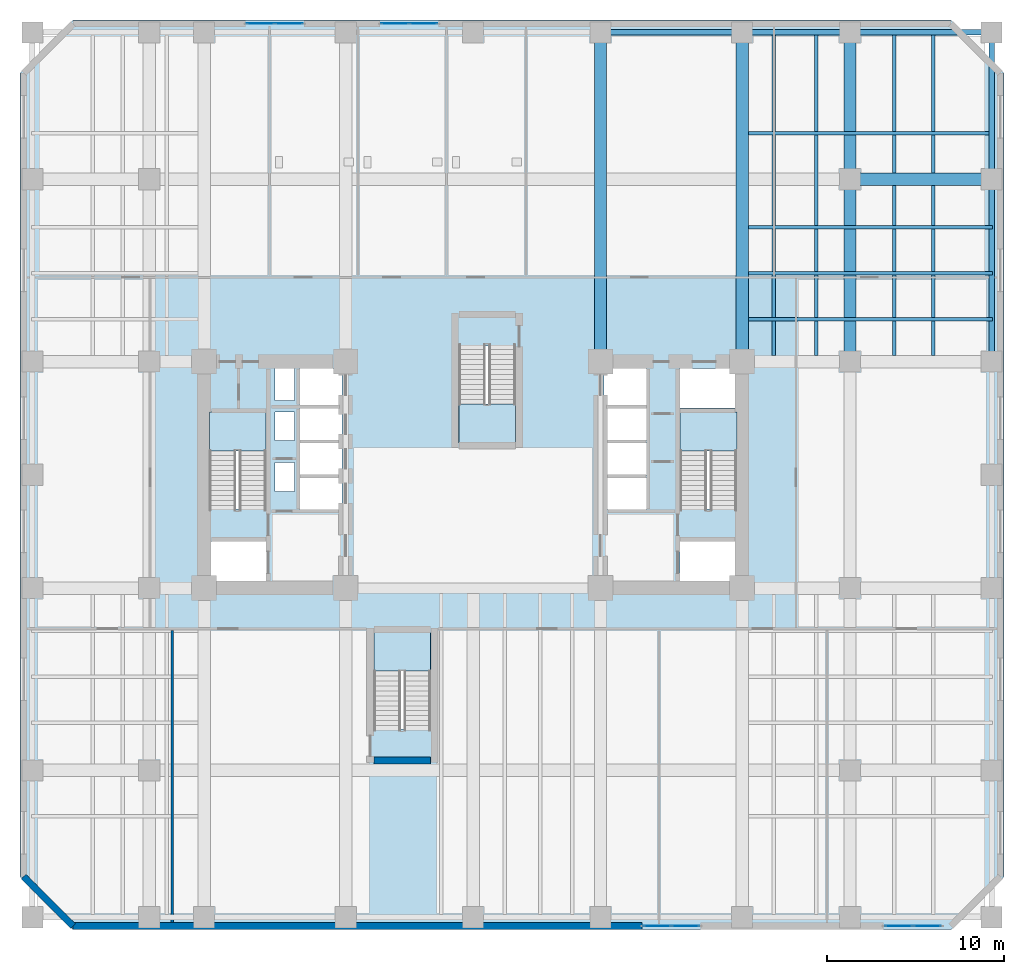
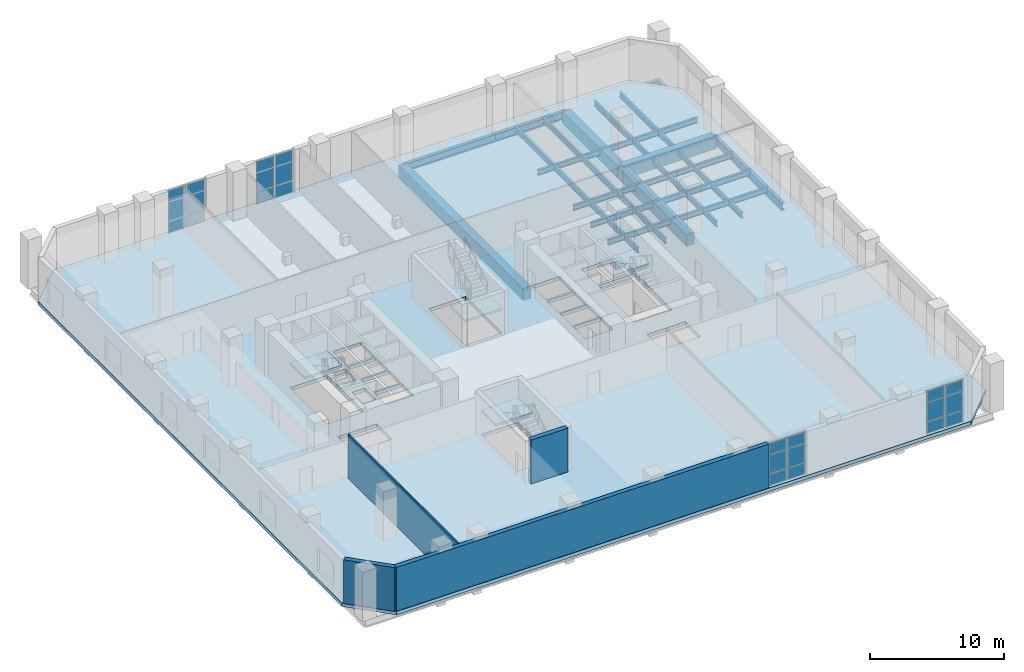
# One storey, part 5 of 15: 24 plates, 18 beams, 5 slabs, 4 walls, 8 elements without a shape of their own.
"""IFC4 building model written with IfcOpenShell, lengths in metres."""

from ifc_helpers import new_model, si_unit, direction, frame, frame_2d, origin, origin_2d, place, context, subcontext, project, spatial, polyline, rectangle, i_section, outline, extrude, material, layer, layer_set, material_profile, profile_set, type_object, element, aggregate, save


model = new_model("IFC4")

# Units and contexts
model_context = context("Model", 3, precision=1e-05, world=origin(), true_north=direction((0.0, 1.0)))
body_context = subcontext(model_context, "Body", "Model", "MODEL_VIEW")
ifc_project = project(units=[si_unit("LENGTHUNIT", "METRE"), si_unit("AREAUNIT", "SQUARE_METRE"), si_unit("VOLUMEUNIT", "CUBIC_METRE"), si_unit("PLANEANGLEUNIT", "RADIAN"), si_unit("MASSUNIT", "GRAM", prefix="KILO")], contexts=[model_context])

# Site, building, storey
site_placement = place(None, origin())
site = spatial("IfcSite", under=ifc_project, at=site_placement, CompositionType="ELEMENT")
building_placement = place(site_placement, origin())
building = spatial("IfcBuilding", under=site, at=building_placement, Name="Kranthara Brick Stack", CompositionType="ELEMENT")
storey_placement = place(building_placement, frame((0.0, 0.0, 14.39990234375)))
storey = spatial("IfcBuildingStorey", under=building, at=storey_placement, Name="L03", CompositionType="ELEMENT", Elevation=14.39990234375)

# Beams
ifc_material_1 = material(Name="Steel S355", Category="steel")
ifc_material_profile_1 = material_profile(ifc_material_1, i_section(OverallWidth=0.199951171875, OverallDepth=0.5, WebThickness=0.01025390625, FlangeThickness=0.01611328125, at=origin_2d()), Name="IPE 500")
ifc_profile_set_1 = profile_set([ifc_material_profile_1], Name="Steel S355")
beam_type_1 = type_object("IfcBeamType", Name="BM-JST-IPE500", PredefinedType="JOIST", material=ifc_profile_set_1)
for number, where, z_axis, x_axis, name in (
    (1, (45.0, 33.949951171875, -0.56982421875), (0.0, 1.0, 0.0), (-1.0, 0.0, 0.0), "L03 North Wing Floor Joist 076"),
    (2, (47.39990234375, 33.949951171875, -0.56982421875), (0.0, 1.0, 0.0), (-1.0, 0.0, 0.0), "L03 North Wing Floor Joist 078"),
    (3, (51.800048828125, 33.949951171875, -0.56982421875), (0.0, 1.0, 0.0), (-1.0, 0.0, 0.0), "L03 North Wing Floor Joist 080"),
    (4, (54.0, 33.949951171875, -0.56982421875), (0.0, 1.0, 0.0), (-1.0, 0.0, 0.0), "L03 North Wing Floor Joist 082"),
):
    element("IfcBeam", number, at=place(storey_placement, frame(where, z_axis=z_axis, x_axis=x_axis)), inside=storey, type_object=beam_type_1, Name=name, PredefinedType="JOIST", context=body_context, shape_type="SweptSolid", body=[
        extrude(i_section(OverallWidth=0.199951171875, OverallDepth=0.5, WebThickness=0.01025390625, FlangeThickness=0.01611328125, at=origin_2d()), origin(), (0.0, 0.0, 1.0), 18.300048828125),
    ])
for number, where, z_axis, x_axis, name in (
    (5, (43.550048828125, 36.0, -0.56982421875), (1.0, 0.0, 0.0), (0.0, 1.0, 0.0), "L03 East Wing Floor Joist 092"),
    (6, (43.550048828125, 38.60009765625, -0.56982421875), (1.0, 0.0, 0.0), (0.0, 1.0, 0.0), "L03 East Wing Floor Joist 094"),
    (7, (43.550048828125, 41.199951171875, -0.56982421875), (1.0, 0.0, 0.0), (0.0, 1.0, 0.0), "L03 East Wing Floor Joist 096"),
    (8, (43.550048828125, 46.5, -0.56982421875), (1.0, 0.0, 0.0), (0.0, 1.0, 0.0), "L03 East Wing Floor Joist 098"),
):
    element("IfcBeam", number, at=place(storey_placement, frame(where, z_axis=z_axis, x_axis=x_axis)), inside=storey, type_object=beam_type_1, Name=name, PredefinedType="JOIST", context=body_context, shape_type="SweptSolid", body=[
        extrude(i_section(OverallWidth=0.199951171875, OverallDepth=0.5, WebThickness=0.01025390625, FlangeThickness=0.01611328125, at=origin_2d()), origin(), (0.0, 0.0, 1.0), 13.800048828125),
    ])
ifc_material_2 = material(Name="Post-tensioned concrete C45/55", Category="concrete")
ifc_material_profile_2 = material_profile(ifc_material_2, rectangle(XDim=0.699951171875, YDim=1.10009765625, at=origin_2d()), Name="PT 700x1100")
ifc_profile_set_2 = profile_set([ifc_material_profile_2], Name="Post-tensioned concrete C45/55")
beam_type_2 = type_object("IfcBeamType", Name="BM-POD-PT1100", PredefinedType="BEAM", material=ifc_profile_set_2)
for number, where, z_axis, x_axis, name in (
    (9, (35.199951171875, 33.60009765625, -0.869873046875), (0.0, 1.0, 0.0), (-1.0, 0.0, 0.0), "L03 Primary Grid Girder 043"),
    (10, (43.199951171875, 33.60009765625, -0.869873046875), (0.0, 1.0, 0.0), (-1.0, 0.0, 0.0), "L03 Primary Grid Girder 045"),
):
    element("IfcBeam", number, at=place(storey_placement, frame(where, z_axis=z_axis, x_axis=x_axis)), inside=storey, type_object=beam_type_2, Name=name, PredefinedType="BEAM", context=body_context, shape_type="SweptSolid", body=[
        extrude(rectangle(XDim=0.699951171875, YDim=1.10009765625, at=origin_2d()), origin(), (0.0, 0.0, 1.0), 18.599853515625),
    ])
beam_1_placement = place(storey_placement, frame((49.300048828125, 33.60009765625, -0.869873046875), z_axis=(0.0, 1.0, 0.0), x_axis=(-1.0, 0.0, 0.0)))
element("IfcBeam", 11, at=beam_1_placement, inside=storey, type_object=beam_type_2, Name="L03 Primary Grid Girder 049", PredefinedType="BEAM", context=body_context, shape_type="SweptSolid", body=[
    extrude(rectangle(XDim=0.699951171875, YDim=1.10009765625, at=origin_2d()), origin(), (0.0, 0.0, 1.0), 10.2998046875),
])
beam_2_placement = place(storey_placement, frame((49.300048828125, 43.89990234375, -0.869873046875), z_axis=(0.0, 1.0, 0.0), x_axis=(-1.0, 0.0, 0.0)))
element("IfcBeam", 12, at=beam_2_placement, inside=storey, type_object=beam_type_2, Name="L03 Primary Grid Girder 050", PredefinedType="BEAM", context=body_context, shape_type="SweptSolid", body=[
    extrude(rectangle(XDim=0.699951171875, YDim=1.10009765625, at=origin_2d()), origin(), (0.0, 0.0, 1.0), 8.300048828125),
])
beam_3_placement = place(storey_placement, frame((49.300048828125, 43.89990234375, -0.869873046875), z_axis=(1.0, 0.0, 0.0), x_axis=(0.0, 1.0, 0.0)))
element("IfcBeam", 13, at=beam_3_placement, inside=storey, type_object=beam_type_2, Name="L03 Primary Grid Girder 064", PredefinedType="BEAM", context=body_context, shape_type="SweptSolid", body=[
    extrude(rectangle(XDim=0.699951171875, YDim=1.10009765625, at=origin_2d()), origin(), (0.0, 0.0, 1.0), 8.0),
])
ifc_material_3 = material(Name="Steel S355", Category="steel")
ifc_material_profile_3 = material_profile(ifc_material_3, i_section(OverallWidth=0.300048828125, OverallDepth=0.699951171875, WebThickness=0.01708984375, FlangeThickness=0.031982421875, at=origin_2d()), Name="HEB 700")
ifc_profile_set_3 = profile_set([ifc_material_profile_3], Name="Steel S355")
beam_type_3 = type_object("IfcBeamType", Name="BM-STL-HEB700", PredefinedType="BEAM", material=ifc_profile_set_3)
beam_4_placement = place(storey_placement, frame((35.199951171875, 52.199951171875, -0.669921875), z_axis=(1.0, 0.0, 0.0), x_axis=(0.0, 1.0, 0.0)))
element("IfcBeam", 14, at=beam_4_placement, inside=storey, type_object=beam_type_3, Name="L03 Perimeter Spandrel Beam 017", PredefinedType="BEAM", context=body_context, shape_type="SweptSolid", body=[
    extrude(i_section(OverallWidth=0.300048828125, OverallDepth=0.699951171875, WebThickness=0.01708984375, FlangeThickness=0.031982421875, at=origin_2d()), origin(), (0.0, 0.0, 1.0), 8.0),
])
beam_5_placement = place(storey_placement, frame((43.199951171875, 52.199951171875, -0.669921875), z_axis=(1.0, 0.0, 0.0), x_axis=(0.0, 1.0, 0.0)))
element("IfcBeam", 15, at=beam_5_placement, inside=storey, type_object=beam_type_3, Name="L03 Perimeter Spandrel Beam 018", PredefinedType="BEAM", context=body_context, shape_type="SweptSolid", body=[
    extrude(i_section(OverallWidth=0.300048828125, OverallDepth=0.699951171875, WebThickness=0.01708984375, FlangeThickness=0.031982421875, at=origin_2d()), origin(), (0.0, 0.0, 1.0), 6.10009765625),
])
beam_6_placement = place(storey_placement, frame((49.300048828125, 52.199951171875, -0.669921875), z_axis=(1.0, 0.0, 0.0), x_axis=(0.0, 1.0, 0.0)))
element("IfcBeam", 16, at=beam_6_placement, inside=storey, type_object=beam_type_3, Name="L03 Perimeter Spandrel Beam 019", PredefinedType="BEAM", context=body_context, shape_type="SweptSolid", body=[
    extrude(i_section(OverallWidth=0.300048828125, OverallDepth=0.699951171875, WebThickness=0.01708984375, FlangeThickness=0.031982421875, at=origin_2d()), origin(), (0.0, 0.0, 1.0), 8.0),
])
beam_7_placement = place(storey_placement, frame((57.300048828125, 33.60009765625, -0.669921875), z_axis=(0.0, 1.0, 0.0), x_axis=(-1.0, 0.0, 0.0)))
element("IfcBeam", 17, at=beam_7_placement, inside=storey, type_object=beam_type_3, Name="L03 Perimeter Spandrel Beam 030", PredefinedType="BEAM", context=body_context, shape_type="SweptSolid", body=[
    extrude(i_section(OverallWidth=0.300048828125, OverallDepth=0.699951171875, WebThickness=0.01708984375, FlangeThickness=0.031982421875, at=origin_2d()), origin(), (0.0, 0.0, 1.0), 10.2998046875),
])
beam_8_placement = place(storey_placement, frame((57.300048828125, 43.89990234375, -0.669921875), z_axis=(0.0, 1.0, 0.0), x_axis=(-1.0, 0.0, 0.0)))
element("IfcBeam", 18, at=beam_8_placement, inside=storey, type_object=beam_type_3, Name="L03 Perimeter Spandrel Beam 031", PredefinedType="BEAM", context=body_context, shape_type="SweptSolid", body=[
    extrude(i_section(OverallWidth=0.300048828125, OverallDepth=0.699951171875, WebThickness=0.01708984375, FlangeThickness=0.031982421875, at=origin_2d()), origin(), (0.0, 0.0, 1.0), 8.300048828125),
])

# Curtain wall, plates
ifc_material_4 = material(Name="Bronze anodised aluminium and low-E glass", Category="aluminium")
ifc_layer_1 = layer(ifc_material_4, 0.219970703125)
ifc_layer_set_1 = layer_set([ifc_layer_1], Name="Bronze anodised aluminium and low-E glass")
curtain_wall_type_1 = type_object("IfcCurtainWallType", Name="CW-SYS2-PODIUM", PredefinedType="USERDEFINED", material=ifc_layer_set_1)
curtain_wall_1_placement = place(storey_placement, origin())
curtain_wall_1 = element("IfcCurtainWall", 19, at=curtain_wall_1_placement, inside=storey, type_object=curtain_wall_type_1, Name="L03 Curtain Wall CW2-L03-01", ObjectType="UNITISED CURTAIN WALL", PredefinedType="USERDEFINED")
ifc_material_5 = material(Name="Double-glazed low-E vision glass", Category="glass")
ifc_layer_2 = layer(ifc_material_5, 0.028076171875)
ifc_layer_set_2 = layer_set([ifc_layer_2], Name="Double-glazed low-E vision glass")
plate_type_1 = type_object("IfcPlateType", Name="CWP-GLZ-28", PredefinedType="CURTAIN_PANEL", material=ifc_layer_set_2)
plate_1_placement = place(storey_placement, frame((15.99365234375, 52.68994140625, 0.0751953125), z_axis=(0.0, 0.0, 1.0), x_axis=(1.0, 0.0, 0.0)))
plate_1 = element("IfcPlate", 20, at=plate_1_placement, type_object=plate_type_1, Name="CW panel 1.1", PredefinedType="CURTAIN_PANEL", context=body_context, shape_type="SweptSolid", body=[
    extrude(rectangle(XDim=1.53759765625, YDim=0.028076171875, at=origin_2d()), origin(), (0.0, 0.0, 1.0), 1.007568359375),
])
plate_2_placement = place(storey_placement, frame((15.99365234375, 52.68994140625, 1.157470703125), z_axis=(0.0, 0.0, 1.0), x_axis=(1.0, 0.0, 0.0)))
plate_2 = element("IfcPlate", 21, at=plate_2_placement, type_object=plate_type_1, Name="CW panel 1.2", PredefinedType="CURTAIN_PANEL", context=body_context, shape_type="SweptSolid", body=[
    extrude(rectangle(XDim=1.53759765625, YDim=0.028076171875, at=origin_2d()), origin(), (0.0, 0.0, 1.0), 1.68505859375),
])
plate_3_placement = place(storey_placement, frame((15.99365234375, 52.68994140625, 2.91748046875), z_axis=(0.0, 0.0, 1.0), x_axis=(1.0, 0.0, 0.0)))
plate_3 = element("IfcPlate", 22, at=plate_3_placement, type_object=plate_type_1, Name="CW panel 1.3", PredefinedType="CURTAIN_PANEL", context=body_context, shape_type="SweptSolid", body=[
    extrude(rectangle(XDim=1.53759765625, YDim=0.028076171875, at=origin_2d()), origin(), (0.0, 0.0, 1.0), 1.007568359375),
])
plate_4_placement = place(storey_placement, frame((17.606201171875, 52.68994140625, 0.0751953125), z_axis=(0.0, 0.0, 1.0), x_axis=(1.0, 0.0, 0.0)))
plate_4 = element("IfcPlate", 23, at=plate_4_placement, type_object=plate_type_1, Name="CW panel 2.1", PredefinedType="CURTAIN_PANEL", context=body_context, shape_type="SweptSolid", body=[
    extrude(rectangle(XDim=1.53759765625, YDim=0.028076171875, at=origin_2d()), origin(), (0.0, 0.0, 1.0), 1.007568359375),
])
plate_5_placement = place(storey_placement, frame((17.606201171875, 52.68994140625, 1.157470703125), z_axis=(0.0, 0.0, 1.0), x_axis=(1.0, 0.0, 0.0)))
plate_5 = element("IfcPlate", 24, at=plate_5_placement, type_object=plate_type_1, Name="CW panel 2.2", PredefinedType="CURTAIN_PANEL", context=body_context, shape_type="SweptSolid", body=[
    extrude(rectangle(XDim=1.53759765625, YDim=0.028076171875, at=origin_2d()), origin(), (0.0, 0.0, 1.0), 1.68505859375),
])
plate_6_placement = place(storey_placement, frame((17.606201171875, 52.68994140625, 2.91748046875), z_axis=(0.0, 0.0, 1.0), x_axis=(1.0, 0.0, 0.0)))
plate_6 = element("IfcPlate", 25, at=plate_6_placement, type_object=plate_type_1, Name="CW panel 2.3", PredefinedType="CURTAIN_PANEL", context=body_context, shape_type="SweptSolid", body=[
    extrude(rectangle(XDim=1.53759765625, YDim=0.028076171875, at=origin_2d()), origin(), (0.0, 0.0, 1.0), 1.007568359375),
])
aggregate(curtain_wall_1, [plate_1, plate_2, plate_3, plate_4, plate_5, plate_6])

curtain_wall_2_placement = place(storey_placement, origin())
curtain_wall_2 = element("IfcCurtainWall", 26, at=curtain_wall_2_placement, inside=storey, type_object=curtain_wall_type_1, Name="L03 Curtain Wall CW2-L03-02", ObjectType="UNITISED CURTAIN WALL", PredefinedType="USERDEFINED")
plate_7_placement = place(storey_placement, frame((23.59375, 52.68994140625, 0.0751953125), z_axis=(0.0, 0.0, 1.0), x_axis=(1.0, 0.0, 0.0)))
plate_7 = element("IfcPlate", 27, at=plate_7_placement, type_object=plate_type_1, Name="CW panel 1.1", PredefinedType="CURTAIN_PANEL", context=body_context, shape_type="SweptSolid", body=[
    extrude(rectangle(XDim=1.53759765625, YDim=0.028076171875, at=origin_2d()), origin(), (0.0, 0.0, 1.0), 1.007568359375),
])
plate_8_placement = place(storey_placement, frame((23.59375, 52.68994140625, 1.157470703125), z_axis=(0.0, 0.0, 1.0), x_axis=(1.0, 0.0, 0.0)))
plate_8 = element("IfcPlate", 28, at=plate_8_placement, type_object=plate_type_1, Name="CW panel 1.2", PredefinedType="CURTAIN_PANEL", context=body_context, shape_type="SweptSolid", body=[
    extrude(rectangle(XDim=1.53759765625, YDim=0.028076171875, at=origin_2d()), origin(), (0.0, 0.0, 1.0), 1.68505859375),
])
plate_9_placement = place(storey_placement, frame((23.59375, 52.68994140625, 2.91748046875), z_axis=(0.0, 0.0, 1.0), x_axis=(1.0, 0.0, 0.0)))
plate_9 = element("IfcPlate", 29, at=plate_9_placement, type_object=plate_type_1, Name="CW panel 1.3", PredefinedType="CURTAIN_PANEL", context=body_context, shape_type="SweptSolid", body=[
    extrude(rectangle(XDim=1.53759765625, YDim=0.028076171875, at=origin_2d()), origin(), (0.0, 0.0, 1.0), 1.007568359375),
])
plate_10_placement = place(storey_placement, frame((25.206298828125, 52.68994140625, 0.0751953125), z_axis=(0.0, 0.0, 1.0), x_axis=(1.0, 0.0, 0.0)))
plate_10 = element("IfcPlate", 30, at=plate_10_placement, type_object=plate_type_1, Name="CW panel 2.1", PredefinedType="CURTAIN_PANEL", context=body_context, shape_type="SweptSolid", body=[
    extrude(rectangle(XDim=1.53759765625, YDim=0.028076171875, at=origin_2d()), origin(), (0.0, 0.0, 1.0), 1.007568359375),
])
plate_11_placement = place(storey_placement, frame((25.206298828125, 52.68994140625, 1.157470703125), z_axis=(0.0, 0.0, 1.0), x_axis=(1.0, 0.0, 0.0)))
plate_11 = element("IfcPlate", 31, at=plate_11_placement, type_object=plate_type_1, Name="CW panel 2.2", PredefinedType="CURTAIN_PANEL", context=body_context, shape_type="SweptSolid", body=[
    extrude(rectangle(XDim=1.53759765625, YDim=0.028076171875, at=origin_2d()), origin(), (0.0, 0.0, 1.0), 1.68505859375),
])
plate_12_placement = place(storey_placement, frame((25.206298828125, 52.68994140625, 2.91748046875), z_axis=(0.0, 0.0, 1.0), x_axis=(1.0, 0.0, 0.0)))
plate_12 = element("IfcPlate", 32, at=plate_12_placement, type_object=plate_type_1, Name="CW panel 2.3", PredefinedType="CURTAIN_PANEL", context=body_context, shape_type="SweptSolid", body=[
    extrude(rectangle(XDim=1.53759765625, YDim=0.028076171875, at=origin_2d()), origin(), (0.0, 0.0, 1.0), 1.007568359375),
])
aggregate(curtain_wall_2, [plate_7, plate_8, plate_9, plate_10, plate_11, plate_12])

ifc_material_6 = material(Name="Bronze anodised aluminium and low-E glass", Category="aluminium")
ifc_layer_3 = layer(ifc_material_6, 0.25)
ifc_layer_set_3 = layer_set([ifc_layer_3], Name="Bronze anodised aluminium and low-E glass")
curtain_wall_type_2 = type_object("IfcCurtainWallType", Name="CW-SYS1-CONCOURSE", PredefinedType="USERDEFINED", material=ifc_layer_set_3)
curtain_wall_3_placement = place(storey_placement, origin())
curtain_wall_3 = element("IfcCurtainWall", 33, at=curtain_wall_3_placement, inside=storey, type_object=curtain_wall_type_2, Name="L03 Curtain Wall CW1-L03-01", ObjectType="UNITISED CURTAIN WALL", PredefinedType="USERDEFINED")
ifc_material_7 = material(Name="Triple-laminated acoustic low-E glass", Category="glass")
ifc_layer_4 = layer(ifc_material_7, 0.035888671875)
ifc_layer_set_4 = layer_set([ifc_layer_4], Name="Triple-laminated acoustic low-E glass")
plate_type_2 = type_object("IfcPlateType", Name="CWP-GLZ-36", PredefinedType="CURTAIN_PANEL", material=ifc_layer_set_4)
plate_13_placement = place(storey_placement, frame((53.655029296875, 1.7099609375, 0.080078125), z_axis=(0.0, 0.0, 1.0), x_axis=(-1.0, 0.0, 0.0)))
plate_13 = element("IfcPlate", 34, at=plate_13_placement, type_object=plate_type_2, Name="CW panel 1.1", PredefinedType="CURTAIN_PANEL", context=body_context, shape_type="SweptSolid", body=[
    extrude(rectangle(XDim=1.530029296875, YDim=0.035888671875, at=origin_2d()), origin(), (0.0, 0.0, 1.0), 1.0),
])
plate_14_placement = place(storey_placement, frame((53.655029296875, 1.7099609375, 1.16015625), z_axis=(0.0, 0.0, 1.0), x_axis=(-1.0, 0.0, 0.0)))
plate_14 = element("IfcPlate", 35, at=plate_14_placement, type_object=plate_type_2, Name="CW panel 1.2", PredefinedType="CURTAIN_PANEL", context=body_context, shape_type="SweptSolid", body=[
    extrude(rectangle(XDim=1.530029296875, YDim=0.035888671875, at=origin_2d()), origin(), (0.0, 0.0, 1.0), 1.679931640625),
])
plate_15_placement = place(storey_placement, frame((53.655029296875, 1.7099609375, 2.920166015625), z_axis=(0.0, 0.0, 1.0), x_axis=(-1.0, 0.0, 0.0)))
plate_15 = element("IfcPlate", 36, at=plate_15_placement, type_object=plate_type_2, Name="CW panel 1.3", PredefinedType="CURTAIN_PANEL", context=body_context, shape_type="SweptSolid", body=[
    extrude(rectangle(XDim=1.530029296875, YDim=0.035888671875, at=origin_2d()), origin(), (0.0, 0.0, 1.0), 1.0),
])
plate_16_placement = place(storey_placement, frame((52.044921875, 1.7099609375, 0.080078125), z_axis=(0.0, 0.0, 1.0), x_axis=(-1.0, 0.0, 0.0)))
plate_16 = element("IfcPlate", 37, at=plate_16_placement, type_object=plate_type_2, Name="CW panel 2.1", PredefinedType="CURTAIN_PANEL", context=body_context, shape_type="SweptSolid", body=[
    extrude(rectangle(XDim=1.530029296875, YDim=0.035888671875, at=origin_2d()), origin(), (0.0, 0.0, 1.0), 1.0),
])
plate_17_placement = place(storey_placement, frame((52.044921875, 1.7099609375, 1.16015625), z_axis=(0.0, 0.0, 1.0), x_axis=(-1.0, 0.0, 0.0)))
plate_17 = element("IfcPlate", 38, at=plate_17_placement, type_object=plate_type_2, Name="CW panel 2.2", PredefinedType="CURTAIN_PANEL", context=body_context, shape_type="SweptSolid", body=[
    extrude(rectangle(XDim=1.530029296875, YDim=0.035888671875, at=origin_2d()), origin(), (0.0, 0.0, 1.0), 1.679931640625),
])
plate_18_placement = place(storey_placement, frame((52.044921875, 1.7099609375, 2.920166015625), z_axis=(0.0, 0.0, 1.0), x_axis=(-1.0, 0.0, 0.0)))
plate_18 = element("IfcPlate", 39, at=plate_18_placement, type_object=plate_type_2, Name="CW panel 2.3", PredefinedType="CURTAIN_PANEL", context=body_context, shape_type="SweptSolid", body=[
    extrude(rectangle(XDim=1.530029296875, YDim=0.035888671875, at=origin_2d()), origin(), (0.0, 0.0, 1.0), 1.0),
])
aggregate(curtain_wall_3, [plate_13, plate_14, plate_15, plate_16, plate_17, plate_18])

curtain_wall_4_placement = place(storey_placement, origin())
curtain_wall_4 = element("IfcCurtainWall", 40, at=curtain_wall_4_placement, inside=storey, type_object=curtain_wall_type_2, Name="L03 Curtain Wall CW1-L03-02", ObjectType="UNITISED CURTAIN WALL", PredefinedType="USERDEFINED")
plate_19_placement = place(storey_placement, frame((40.0048828125, 1.7099609375, 0.080078125), z_axis=(0.0, 0.0, 1.0), x_axis=(-1.0, 0.0, 0.0)))
plate_19 = element("IfcPlate", 41, at=plate_19_placement, type_object=plate_type_2, Name="CW panel 1.1", PredefinedType="CURTAIN_PANEL", context=body_context, shape_type="SweptSolid", body=[
    extrude(rectangle(XDim=1.530029296875, YDim=0.035888671875, at=origin_2d()), origin(), (0.0, 0.0, 1.0), 1.0),
])
plate_20_placement = place(storey_placement, frame((40.0048828125, 1.7099609375, 1.16015625), z_axis=(0.0, 0.0, 1.0), x_axis=(-1.0, 0.0, 0.0)))
plate_20 = element("IfcPlate", 42, at=plate_20_placement, type_object=plate_type_2, Name="CW panel 1.2", PredefinedType="CURTAIN_PANEL", context=body_context, shape_type="SweptSolid", body=[
    extrude(rectangle(XDim=1.530029296875, YDim=0.035888671875, at=origin_2d()), origin(), (0.0, 0.0, 1.0), 1.679931640625),
])
plate_21_placement = place(storey_placement, frame((40.0048828125, 1.7099609375, 2.920166015625), z_axis=(0.0, 0.0, 1.0), x_axis=(-1.0, 0.0, 0.0)))
plate_21 = element("IfcPlate", 43, at=plate_21_placement, type_object=plate_type_2, Name="CW panel 1.3", PredefinedType="CURTAIN_PANEL", context=body_context, shape_type="SweptSolid", body=[
    extrude(rectangle(XDim=1.530029296875, YDim=0.035888671875, at=origin_2d()), origin(), (0.0, 0.0, 1.0), 1.0),
])
plate_22_placement = place(storey_placement, frame((38.39501953125, 1.7099609375, 0.080078125), z_axis=(0.0, 0.0, 1.0), x_axis=(-1.0, 0.0, 0.0)))
plate_22 = element("IfcPlate", 44, at=plate_22_placement, type_object=plate_type_2, Name="CW panel 2.1", PredefinedType="CURTAIN_PANEL", context=body_context, shape_type="SweptSolid", body=[
    extrude(rectangle(XDim=1.530029296875, YDim=0.035888671875, at=origin_2d()), origin(), (0.0, 0.0, 1.0), 1.0),
])
plate_23_placement = place(storey_placement, frame((38.39501953125, 1.7099609375, 1.16015625), z_axis=(0.0, 0.0, 1.0), x_axis=(-1.0, 0.0, 0.0)))
plate_23 = element("IfcPlate", 45, at=plate_23_placement, type_object=plate_type_2, Name="CW panel 2.2", PredefinedType="CURTAIN_PANEL", context=body_context, shape_type="SweptSolid", body=[
    extrude(rectangle(XDim=1.530029296875, YDim=0.035888671875, at=origin_2d()), origin(), (0.0, 0.0, 1.0), 1.679931640625),
])
plate_24_placement = place(storey_placement, frame((38.39501953125, 1.7099609375, 2.920166015625), z_axis=(0.0, 0.0, 1.0), x_axis=(-1.0, 0.0, 0.0)))
plate_24 = element("IfcPlate", 46, at=plate_24_placement, type_object=plate_type_2, Name="CW panel 2.3", PredefinedType="CURTAIN_PANEL", context=body_context, shape_type="SweptSolid", body=[
    extrude(rectangle(XDim=1.530029296875, YDim=0.035888671875, at=origin_2d()), origin(), (0.0, 0.0, 1.0), 1.0),
])
aggregate(curtain_wall_4, [plate_19, plate_20, plate_21, plate_22, plate_23, plate_24])

# Stair, slab
ifc_material_8 = material(Name="Concrete C45/55", Category="concrete")
stair_type = type_object("IfcStairType", Name="ST-CORE-26R", PredefinedType="HALF_TURN_STAIR", material=ifc_material_8)
stair_1_placement = place(storey_placement, origin())
stair_1 = element("IfcStair", 47, at=stair_1_placement, inside=storey, type_object=stair_type, Name="L03 West Core Protected Exit Stair ST01", PredefinedType="HALF_TURN_STAIR")
ifc_material_9 = material(Name="Concrete C45/55", Category="concrete")
ifc_layer_5 = layer(ifc_material_9, 0.199951171875)
ifc_layer_set_5 = layer_set([ifc_layer_5], Name="Concrete C45/55")
slab_type_1 = type_object("IfcSlabType", Name="SLB-LANDING-200", PredefinedType="LANDING", material=ifc_layer_set_5)
slab_1_placement = place(storey_placement, frame((0.0, 0.0, 2.050048828125)))
slab_1 = element("IfcSlab", 48, at=slab_1_placement, type_object=slab_type_1, Name="ST01 landing 1", PredefinedType="LANDING", context=body_context, shape_type="SweptSolid", body=[
    extrude(outline(polyline([(16.300048828125, 28.56005859375), (16.300048828125, 30.75), (13.10009765625, 30.75), (13.10009765625, 28.56005859375), (16.300048828125, 28.56005859375)])), origin(), (0.0, 0.0, 1.0), 0.199951171875),
])
aggregate(stair_1, [slab_1])

stair_2_placement = place(storey_placement, origin())
stair_2 = element("IfcStair", 49, at=stair_2_placement, inside=storey, type_object=stair_type, Name="L03 East Core Protected Exit Stair ST02", PredefinedType="HALF_TURN_STAIR")
slab_2_placement = place(storey_placement, frame((0.0, 0.0, 2.050048828125)))
slab_2 = element("IfcSlab", 50, at=slab_2_placement, type_object=slab_type_1, Name="ST02 landing 1", PredefinedType="LANDING", context=body_context, shape_type="SweptSolid", body=[
    extrude(outline(polyline([(42.89990234375, 28.56005859375), (42.89990234375, 30.75), (39.699951171875, 30.75), (39.699951171875, 28.56005859375), (42.89990234375, 28.56005859375)])), origin(), (0.0, 0.0, 1.0), 0.199951171875),
])
aggregate(stair_2, [slab_2])

stair_3_placement = place(storey_placement, origin())
stair_3 = element("IfcStair", 51, at=stair_3_placement, inside=storey, type_object=stair_type, Name="L03 Podium South Protected Exit Stair ST03", PredefinedType="HALF_TURN_STAIR")
slab_3_placement = place(storey_placement, frame((0.0, 0.0, 2.050048828125)))
slab_3 = element("IfcSlab", 52, at=slab_3_placement, type_object=slab_type_1, Name="ST03 landing 1", PredefinedType="LANDING", context=body_context, shape_type="SweptSolid", body=[
    extrude(outline(polyline([(25.60009765625, 16.110107421875), (25.60009765625, 18.300048828125), (22.39990234375, 18.300048828125), (22.39990234375, 16.110107421875), (25.60009765625, 16.110107421875)])), origin(), (0.0, 0.0, 1.0), 0.199951171875),
])
aggregate(stair_3, [slab_3])

stair_4_placement = place(storey_placement, origin())
stair_4 = element("IfcStair", 53, at=stair_4_placement, inside=storey, type_object=stair_type, Name="L03 Podium North Protected Exit Stair ST04", PredefinedType="HALF_TURN_STAIR")
slab_4_placement = place(storey_placement, frame((0.0, 0.0, 2.050048828125)))
slab_4 = element("IfcSlab", 54, at=slab_4_placement, type_object=slab_type_1, Name="ST04 landing 1", PredefinedType="LANDING", context=body_context, shape_type="SweptSolid", body=[
    extrude(outline(polyline([(27.199951171875, 31.18994140625), (27.199951171875, 29.0), (30.39990234375, 29.0), (30.39990234375, 31.18994140625), (27.199951171875, 31.18994140625)])), origin(), (0.0, 0.0, 1.0), 0.199951171875),
])
aggregate(stair_4, [slab_4])

# Slab
ifc_material_10 = material(Name="Post-tensioned concrete C45/55", Category="concrete")
ifc_layer_6 = layer(ifc_material_10, 0.320068359375)
ifc_layer_set_6 = layer_set([ifc_layer_6], Name="Post-tensioned concrete C45/55")
slab_type_2 = type_object("IfcSlabType", Name="SLB-POD-320", PredefinedType="FLOOR", material=ifc_layer_set_6)
slab_5_placement = place(storey_placement, frame((0.0, 0.0, -0.31982421875)))
element("IfcSlab", 55, at=slab_5_placement, inside=storey, type_object=slab_type_2, Name="L03 Structural Floor Plate", PredefinedType="FLOOR", context=body_context, shape_type="SweptSolid", body=[
    extrude(outline(polyline([(5.39990234375, 1.5), (55.0, 1.5), (58.0, 4.5), (58.0, 49.89990234375), (55.0, 52.89990234375), (5.39990234375, 52.89990234375), (2.39990234375, 49.89990234375), (2.39990234375, 4.5), (5.39990234375, 1.5)]), holes=[polyline([(13.10009765625, 25.280029296875), (16.300048828125, 25.280029296875), (16.300048828125, 30.75), (13.10009765625, 30.75), (13.10009765625, 25.280029296875)]), polyline([(39.699951171875, 25.280029296875), (42.89990234375, 25.280029296875), (42.89990234375, 30.75), (39.699951171875, 30.75), (39.699951171875, 25.280029296875)]), polyline([(22.39990234375, 12.830078125), (25.60009765625, 12.830078125), (25.60009765625, 18.300048828125), (22.39990234375, 18.300048828125), (22.39990234375, 12.830078125)]), polyline([(27.199951171875, 29.0), (30.39990234375, 29.0), (30.39990234375, 34.469970703125), (27.199951171875, 34.469970703125), (27.199951171875, 29.0)]), polyline([(13.0, 21.179931640625), (16.320068359375, 21.179931640625), (16.320068359375, 23.419921875), (13.0, 23.419921875), (13.0, 21.179931640625)]), polyline([(39.679931640625, 21.179931640625), (43.0, 21.179931640625), (43.0, 23.419921875), (39.679931640625, 23.419921875), (39.679931640625, 21.179931640625)]), polyline([(39.679931640625, 30.97998046875), (43.0, 30.97998046875), (43.0, 33.219970703125), (39.679931640625, 33.219970703125), (39.679931640625, 30.97998046875)]), polyline([(18.199951171875, 25.25), (20.60009765625, 25.25), (20.60009765625, 27.050048828125), (18.199951171875, 27.050048828125), (18.199951171875, 25.25)]), polyline([(18.199951171875, 27.199951171875), (20.60009765625, 27.199951171875), (20.60009765625, 29.0), (18.199951171875, 29.0), (18.199951171875, 27.199951171875)]), polyline([(18.199951171875, 29.14990234375), (20.60009765625, 29.14990234375), (20.60009765625, 30.949951171875), (18.199951171875, 30.949951171875), (18.199951171875, 29.14990234375)]), polyline([(35.39990234375, 25.25), (37.800048828125, 25.25), (37.800048828125, 27.050048828125), (35.39990234375, 27.050048828125), (35.39990234375, 25.25)]), polyline([(35.39990234375, 27.199951171875), (37.800048828125, 27.199951171875), (37.800048828125, 29.0), (35.39990234375, 29.0), (35.39990234375, 27.199951171875)]), polyline([(35.39990234375, 29.14990234375), (37.800048828125, 29.14990234375), (37.800048828125, 30.949951171875), (35.39990234375, 30.949951171875), (35.39990234375, 29.14990234375)]), polyline([(18.199951171875, 31.14990234375), (20.60009765625, 31.14990234375), (20.60009765625, 33.219970703125), (18.199951171875, 33.219970703125), (18.199951171875, 31.14990234375)]), polyline([(35.39990234375, 31.14990234375), (37.800048828125, 31.14990234375), (37.800048828125, 33.219970703125), (35.39990234375, 33.219970703125), (35.39990234375, 31.14990234375)]), polyline([(16.800048828125, 26.25), (17.89990234375, 26.25), (17.89990234375, 27.89990234375), (16.800048828125, 27.89990234375), (16.800048828125, 26.25)]), polyline([(16.800048828125, 29.14990234375), (17.89990234375, 29.14990234375), (17.89990234375, 30.75), (16.800048828125, 30.75), (16.800048828125, 29.14990234375)]), polyline([(16.800048828125, 31.39990234375), (17.89990234375, 31.39990234375), (17.89990234375, 33.25), (16.800048828125, 33.25), (16.800048828125, 31.39990234375)])]), origin(), (0.0, 0.0, 1.0), 0.31982421875),
])

# Walls
ifc_material_11 = material(Name="Kiln-fired clay brick masonry M15", Category="masonry")
ifc_layer_7 = layer(ifc_material_11, 0.3798828125)
ifc_layer_set_7 = layer_set([ifc_layer_7], Name="Kiln-fired clay brick masonry M15")
wall_type_1 = type_object("IfcWallType", Name="WL-BRK-PIER-380", PredefinedType="STANDARD", material=ifc_layer_set_7)
wall_1_placement = place(storey_placement, frame((37.550048828125, 1.7099609375, 0.0), z_axis=(0.0, 0.0, 1.0), x_axis=(-1.0, 0.0, 0.0)))
element("IfcWall", 56, at=wall_1_placement, inside=storey, type_object=wall_type_1, Name="L03 Exterior Brick Facade Wall SOUTH 2", PredefinedType="STANDARD", context=body_context, shape_type="SweptSolid", body=[
    extrude(rectangle(XDim=32.150146484375, YDim=0.3798828125, at=frame_2d((16.0751953125, 0.0))), origin(), (0.0, 0.0, 1.0), 4.0),
])
wall_2_placement = place(storey_placement, frame((5.39990234375, 1.7099609375, 0.0), z_axis=(0.0, 0.0, 1.0), x_axis=(-0.707075841688, 0.707137719332, 0.0)))
element("IfcWall", 57, at=wall_2_placement, inside=storey, type_object=wall_type_1, Name="L03 Exterior Brick Facade Wall SW 1", PredefinedType="STANDARD", context=body_context, shape_type="SweptSolid", body=[
    extrude(rectangle(XDim=3.945556640625, YDim=0.3798828125, at=frame_2d((1.97265625, 0.0))), origin(), (0.0, 0.0, 1.0), 4.0),
])
ifc_material_12 = material(Name="Concrete C50/60", Category="concrete")
ifc_layer_8 = layer(ifc_material_12, 0.39990234375)
ifc_layer_set_8 = layer_set([ifc_layer_8], Name="Concrete C50/60")
wall_type_2 = type_object("IfcWallType", Name="WL-CORE-400", PredefinedType="SHEAR", material=ifc_layer_set_8)
wall_3_placement = place(storey_placement, frame((22.39990234375, 11.050048828125, 0.0), z_axis=(0.0, 0.0, 1.0), x_axis=(1.0, 0.0, 0.0)))
element("IfcWall", 58, at=wall_3_placement, inside=storey, type_object=wall_type_2, Name="L03 Stair ST03 Bearing Wall S", PredefinedType="SHEAR", context=body_context, shape_type="SweptSolid", body=[
    extrude(rectangle(XDim=3.2001953125, YDim=0.39990234375, at=frame_2d((1.60009765625, 0.0))), origin(), (0.0, 0.0, 1.0), 4.0),
])
ifc_material_13 = material(Name="Acoustic gypsum plasterboard partition", Category="other")
ifc_layer_9 = layer(ifc_material_13, 0.1201171875)
ifc_layer_set_9 = layer_set([ifc_layer_9], Name="Acoustic gypsum plasterboard partition")
wall_type_3 = type_object("IfcWallType", Name="WL-PART-120", PredefinedType="PARTITIONING", material=ifc_layer_set_9)
wall_4_placement = place(storey_placement, frame((11.0, 1.905029296875, 0.0), z_axis=(0.0, 0.0, 1.0), x_axis=(0.0, 1.0, 0.0)))
element("IfcWall", 59, at=wall_4_placement, inside=storey, type_object=wall_type_3, Name="L03 Interior Partition 007", PredefinedType="PARTITIONING", context=body_context, shape_type="SweptSolid", body=[
    extrude(rectangle(XDim=16.494873046875, YDim=0.1201171875, at=frame_2d((8.24755859375, 0.0))), origin(), (0.0, 0.0, 1.0), 4.0),
])

save(model, "model.ifc")
